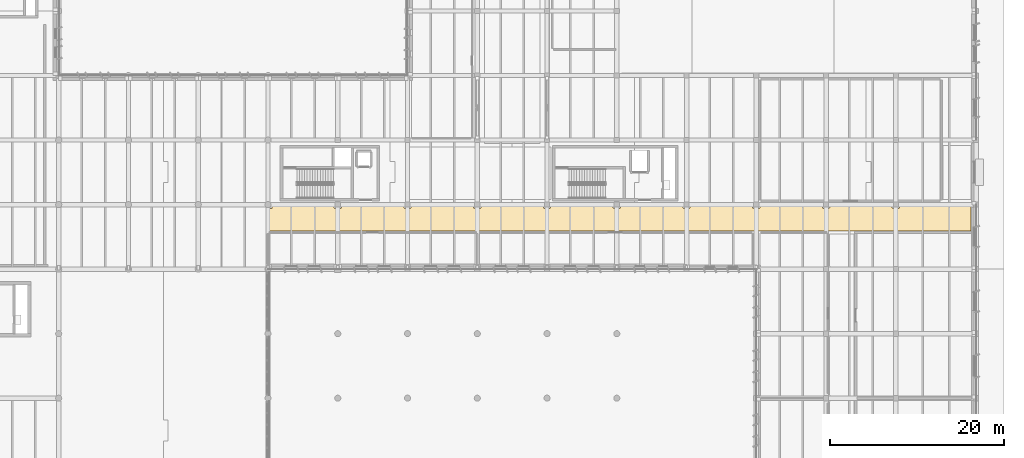
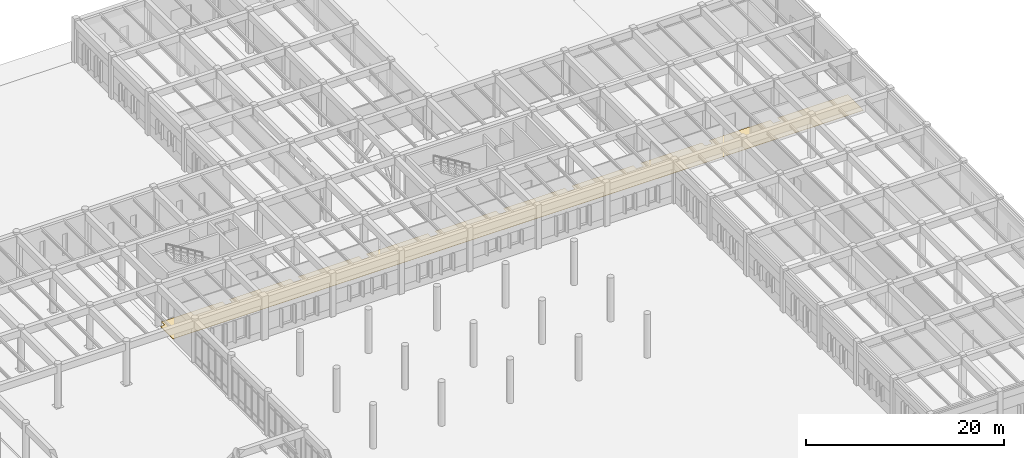
# One storey, part 49 of 56: 1 covering.
"""IFC4 building model written with IfcOpenShell, lengths in metres."""

from ifc_helpers import new_model, si_unit, direction, origin, place, context, subcontext, project, spatial, polyline, outline, extrude, material, layer, layer_set, type_object, element, save


model = new_model("IFC4")

# Units and contexts
model_context = context("Model", 3, precision=1e-05, world=origin(), true_north=direction((0.0, 1.0)))
body_context = subcontext(model_context, "Body", "Model", "MODEL_VIEW")
ifc_project = project(units=[si_unit("LENGTHUNIT", "METRE"), si_unit("AREAUNIT", "SQUARE_METRE"), si_unit("VOLUMEUNIT", "CUBIC_METRE"), si_unit("PLANEANGLEUNIT", "RADIAN"), si_unit("MASSUNIT", "GRAM", prefix="KILO")], contexts=[model_context])

# Site, building, storey
site_placement = place(None, origin())
site = spatial("IfcSite", under=ifc_project, at=site_placement, CompositionType="ELEMENT")
building_placement = place(site_placement, origin())
building = spatial("IfcBuilding", under=site, at=building_placement, Name="Valkorina Park Police Headquarters", CompositionType="ELEMENT")
storey_placement = place(building_placement, origin())
storey = spatial("IfcBuildingStorey", under=building, at=storey_placement, Name="L01", CompositionType="ELEMENT", Elevation=0.0)

# Covering
ifc_material = material(Name="Resin terrazzo flooring")
ifc_layer = layer(ifc_material, 0.030029296875)
ifc_layer_set = layer_set([ifc_layer], Name="Resin terrazzo flooring")
covering_type = type_object("IfcCoveringType", Name="COV-FLOOR-TERRAZZO", PredefinedType="FLOORING", material=ifc_layer_set)
covering_placement = place(storey_placement, origin())
element("IfcCovering", 1, at=covering_placement, inside=storey, type_object=covering_type, Name="East Command and Forensics Protected Exit Corridor Terrazzo Flooring", PredefinedType="FLOORING", context=body_context, shape_type="SweptSolid", body=[
    extrude(outline(polyline([(161.39990234375, 66.800048828125), (153.219970703125, 66.800048828125), (153.219970703125, 66.260009765625), (153.219482421875, 66.252197265625), (153.218505859375, 66.244384765625), (153.216552734375, 66.23681640625), (153.2138671875, 66.2294921875), (153.210693359375, 66.222412109375), (153.20654296875, 66.215576171875), (153.201904296875, 66.209228515625), (153.196533203125, 66.203369140625), (153.19091796875, 66.1982421875), (153.184326171875, 66.193603515625), (153.177734375, 66.189453125), (153.170654296875, 66.18603515625), (153.1630859375, 66.183349609375), (153.155517578125, 66.181396484375), (153.147705078125, 66.180419921875), (153.139892578125, 66.179931640625), (152.4599609375, 66.179931640625), (152.4521484375, 66.180419921875), (152.4443359375, 66.181396484375), (152.436767578125, 66.183349609375), (152.429443359375, 66.18603515625), (152.42236328125, 66.189453125), (152.41552734375, 66.193603515625), (152.4091796875, 66.1982421875), (152.4033203125, 66.203369140625), (152.398193359375, 66.209228515625), (152.3935546875, 66.215576171875), (152.389404296875, 66.222412109375), (152.385986328125, 66.2294921875), (152.38330078125, 66.23681640625), (152.381591796875, 66.244384765625), (152.38037109375, 66.252197265625), (152.3798828125, 66.260009765625), (152.3798828125, 66.800048828125), (145.219970703125, 66.800048828125), (145.219970703125, 66.260009765625), (145.219482421875, 66.252197265625), (145.218505859375, 66.244384765625), (145.216552734375, 66.23681640625), (145.2138671875, 66.2294921875), (145.210693359375, 66.222412109375), (145.20654296875, 66.215576171875), (145.201904296875, 66.209228515625), (145.196533203125, 66.203369140625), (145.19091796875, 66.1982421875), (145.184326171875, 66.193603515625), (145.177734375, 66.189453125), (145.170654296875, 66.18603515625), (145.1630859375, 66.183349609375), (145.155517578125, 66.181396484375), (145.147705078125, 66.180419921875), (145.139892578125, 66.179931640625), (144.4599609375, 66.179931640625), (144.4521484375, 66.180419921875), (144.4443359375, 66.181396484375), (144.436767578125, 66.183349609375), (144.429443359375, 66.18603515625), (144.42236328125, 66.189453125), (144.41552734375, 66.193603515625), (144.4091796875, 66.1982421875), (144.4033203125, 66.203369140625), (144.398193359375, 66.209228515625), (144.3935546875, 66.215576171875), (144.389404296875, 66.222412109375), (144.385986328125, 66.2294921875), (144.38330078125, 66.23681640625), (144.381591796875, 66.244384765625), (144.38037109375, 66.252197265625), (144.3798828125, 66.260009765625), (144.3798828125, 66.800048828125), (137.219970703125, 66.800048828125), (137.219970703125, 66.260009765625), (137.219482421875, 66.252197265625), (137.218505859375, 66.244384765625), (137.216552734375, 66.23681640625), (137.2138671875, 66.2294921875), (137.210693359375, 66.222412109375), (137.20654296875, 66.215576171875), (137.201904296875, 66.209228515625), (137.196533203125, 66.203369140625), (137.19091796875, 66.1982421875), (137.184326171875, 66.193603515625), (137.177734375, 66.189453125), (137.170654296875, 66.18603515625), (137.1630859375, 66.183349609375), (137.155517578125, 66.181396484375), (137.147705078125, 66.180419921875), (137.139892578125, 66.179931640625), (136.4599609375, 66.179931640625), (136.4521484375, 66.180419921875), (136.4443359375, 66.181396484375), (136.436767578125, 66.183349609375), (136.429443359375, 66.18603515625), (136.42236328125, 66.189453125), (136.41552734375, 66.193603515625), (136.4091796875, 66.1982421875), (136.4033203125, 66.203369140625), (136.398193359375, 66.209228515625), (136.3935546875, 66.215576171875), (136.389404296875, 66.222412109375), (136.385986328125, 66.2294921875), (136.38330078125, 66.23681640625), (136.381591796875, 66.244384765625), (136.38037109375, 66.252197265625), (136.3798828125, 66.260009765625), (136.3798828125, 66.800048828125), (129.219970703125, 66.800048828125), (129.219970703125, 66.260009765625), (129.219482421875, 66.252197265625), (129.218505859375, 66.244384765625), (129.216552734375, 66.23681640625), (129.2138671875, 66.2294921875), (129.210693359375, 66.222412109375), (129.20654296875, 66.215576171875), (129.201904296875, 66.209228515625), (129.196533203125, 66.203369140625), (129.19091796875, 66.1982421875), (129.184326171875, 66.193603515625), (129.177734375, 66.189453125), (129.170654296875, 66.18603515625), (129.1630859375, 66.183349609375), (129.155517578125, 66.181396484375), (129.147705078125, 66.180419921875), (129.139892578125, 66.179931640625), (128.4599609375, 66.179931640625), (128.4521484375, 66.180419921875), (128.4443359375, 66.181396484375), (128.436767578125, 66.183349609375), (128.429443359375, 66.18603515625), (128.42236328125, 66.189453125), (128.41552734375, 66.193603515625), (128.4091796875, 66.1982421875), (128.4033203125, 66.203369140625), (128.398193359375, 66.209228515625), (128.3935546875, 66.215576171875), (128.389404296875, 66.222412109375), (128.385986328125, 66.2294921875), (128.38330078125, 66.23681640625), (128.381591796875, 66.244384765625), (128.38037109375, 66.252197265625), (128.3798828125, 66.260009765625), (128.3798828125, 66.800048828125), (121.219970703125, 66.800048828125), (121.219970703125, 66.260009765625), (121.219482421875, 66.252197265625), (121.218505859375, 66.244384765625), (121.216552734375, 66.23681640625), (121.2138671875, 66.2294921875), (121.210693359375, 66.222412109375), (121.20654296875, 66.215576171875), (121.201904296875, 66.209228515625), (121.196533203125, 66.203369140625), (121.19091796875, 66.1982421875), (121.184326171875, 66.193603515625), (121.177734375, 66.189453125), (121.170654296875, 66.18603515625), (121.1630859375, 66.183349609375), (121.155517578125, 66.181396484375), (121.147705078125, 66.180419921875), (121.139892578125, 66.179931640625), (120.4599609375, 66.179931640625), (120.4521484375, 66.180419921875), (120.4443359375, 66.181396484375), (120.436767578125, 66.183349609375), (120.429443359375, 66.18603515625), (120.42236328125, 66.189453125), (120.41552734375, 66.193603515625), (120.4091796875, 66.1982421875), (120.4033203125, 66.203369140625), (120.398193359375, 66.209228515625), (120.3935546875, 66.215576171875), (120.389404296875, 66.222412109375), (120.385986328125, 66.2294921875), (120.38330078125, 66.23681640625), (120.381591796875, 66.244384765625), (120.38037109375, 66.252197265625), (120.3798828125, 66.260009765625), (120.3798828125, 66.800048828125), (113.219970703125, 66.800048828125), (113.219970703125, 66.260009765625), (113.219482421875, 66.252197265625), (113.218505859375, 66.244384765625), (113.216552734375, 66.23681640625), (113.2138671875, 66.2294921875), (113.210693359375, 66.222412109375), (113.20654296875, 66.215576171875), (113.201904296875, 66.209228515625), (113.196533203125, 66.203369140625), (113.19091796875, 66.1982421875), (113.184326171875, 66.193603515625), (113.177734375, 66.189453125), (113.170654296875, 66.18603515625), (113.1630859375, 66.183349609375), (113.155517578125, 66.181396484375), (113.147705078125, 66.180419921875), (113.139892578125, 66.179931640625), (112.4599609375, 66.179931640625), (112.4521484375, 66.180419921875), (112.4443359375, 66.181396484375), (112.436767578125, 66.183349609375), (112.429443359375, 66.18603515625), (112.42236328125, 66.189453125), (112.41552734375, 66.193603515625), (112.4091796875, 66.1982421875), (112.4033203125, 66.203369140625), (112.398193359375, 66.209228515625), (112.3935546875, 66.215576171875), (112.389404296875, 66.222412109375), (112.385986328125, 66.2294921875), (112.38330078125, 66.23681640625), (112.381591796875, 66.244384765625), (112.38037109375, 66.252197265625), (112.3798828125, 66.260009765625), (112.3798828125, 66.800048828125), (105.219970703125, 66.800048828125), (105.219970703125, 66.260009765625), (105.219482421875, 66.252197265625), (105.218505859375, 66.244384765625), (105.216552734375, 66.23681640625), (105.2138671875, 66.2294921875), (105.210693359375, 66.222412109375), (105.20654296875, 66.215576171875), (105.201904296875, 66.209228515625), (105.196533203125, 66.203369140625), (105.19091796875, 66.1982421875), (105.184326171875, 66.193603515625), (105.177734375, 66.189453125), (105.170654296875, 66.18603515625), (105.1630859375, 66.183349609375), (105.155517578125, 66.181396484375), (105.147705078125, 66.180419921875), (105.139892578125, 66.179931640625), (104.4599609375, 66.179931640625), (104.4521484375, 66.180419921875), (104.4443359375, 66.181396484375), (104.436767578125, 66.183349609375), (104.429443359375, 66.18603515625), (104.42236328125, 66.189453125), (104.41552734375, 66.193603515625), (104.4091796875, 66.1982421875), (104.4033203125, 66.203369140625), (104.398193359375, 66.209228515625), (104.3935546875, 66.215576171875), (104.389404296875, 66.222412109375), (104.385986328125, 66.2294921875), (104.38330078125, 66.23681640625), (104.381591796875, 66.244384765625), (104.38037109375, 66.252197265625), (104.3798828125, 66.260009765625), (104.3798828125, 66.800048828125), (97.219970703125, 66.800048828125), (97.219970703125, 66.260009765625), (97.219482421875, 66.252197265625), (97.218505859375, 66.244384765625), (97.216552734375, 66.23681640625), (97.2138671875, 66.2294921875), (97.210693359375, 66.222412109375), (97.20654296875, 66.215576171875), (97.201904296875, 66.209228515625), (97.196533203125, 66.203369140625), (97.19091796875, 66.1982421875), (97.184326171875, 66.193603515625), (97.177734375, 66.189453125), (97.170654296875, 66.18603515625), (97.1630859375, 66.183349609375), (97.155517578125, 66.181396484375), (97.147705078125, 66.180419921875), (97.139892578125, 66.179931640625), (96.4599609375, 66.179931640625), (96.4521484375, 66.180419921875), (96.4443359375, 66.181396484375), (96.436767578125, 66.183349609375), (96.429443359375, 66.18603515625), (96.42236328125, 66.189453125), (96.41552734375, 66.193603515625), (96.4091796875, 66.1982421875), (96.4033203125, 66.203369140625), (96.398193359375, 66.209228515625), (96.3935546875, 66.215576171875), (96.389404296875, 66.222412109375), (96.385986328125, 66.2294921875), (96.38330078125, 66.23681640625), (96.381591796875, 66.244384765625), (96.38037109375, 66.252197265625), (96.3798828125, 66.260009765625), (96.3798828125, 66.800048828125), (89.219970703125, 66.800048828125), (89.219970703125, 66.260009765625), (89.219482421875, 66.252197265625), (89.218505859375, 66.244384765625), (89.216552734375, 66.23681640625), (89.2138671875, 66.2294921875), (89.210693359375, 66.222412109375), (89.20654296875, 66.215576171875), (89.201904296875, 66.209228515625), (89.196533203125, 66.203369140625), (89.19091796875, 66.1982421875), (89.184326171875, 66.193603515625), (89.177734375, 66.189453125), (89.170654296875, 66.18603515625), (89.1630859375, 66.183349609375), (89.155517578125, 66.181396484375), (89.147705078125, 66.180419921875), (89.139892578125, 66.179931640625), (88.4599609375, 66.179931640625), (88.4521484375, 66.180419921875), (88.4443359375, 66.181396484375), (88.436767578125, 66.183349609375), (88.429443359375, 66.18603515625), (88.42236328125, 66.189453125), (88.41552734375, 66.193603515625), (88.4091796875, 66.1982421875), (88.4033203125, 66.203369140625), (88.398193359375, 66.209228515625), (88.3935546875, 66.215576171875), (88.389404296875, 66.222412109375), (88.385986328125, 66.2294921875), (88.38330078125, 66.23681640625), (88.381591796875, 66.244384765625), (88.38037109375, 66.252197265625), (88.3798828125, 66.260009765625), (88.3798828125, 66.800048828125), (81.27001953125, 66.800048828125), (81.27001953125, 66.2099609375), (81.26953125, 66.2021484375), (81.2685546875, 66.1943359375), (81.2666015625, 66.186767578125), (81.263916015625, 66.179443359375), (81.260498046875, 66.17236328125), (81.256591796875, 66.16552734375), (81.251708984375, 66.1591796875), (81.24658203125, 66.1533203125), (81.24072265625, 66.148193359375), (81.234375, 66.1435546875), (81.227783203125, 66.139404296875), (81.220703125, 66.135986328125), (81.213134765625, 66.13330078125), (81.20556640625, 66.131591796875), (81.19775390625, 66.13037109375), (81.18994140625, 66.1298828125), (80.800048828125, 66.1298828125), (80.800048828125, 63.60009765625), (161.39990234375, 63.60009765625), (161.39990234375, 66.800048828125)])), origin(), (0.0, 0.0, 1.0), 0.030029296875),
])

save(model, "model.ifc")
